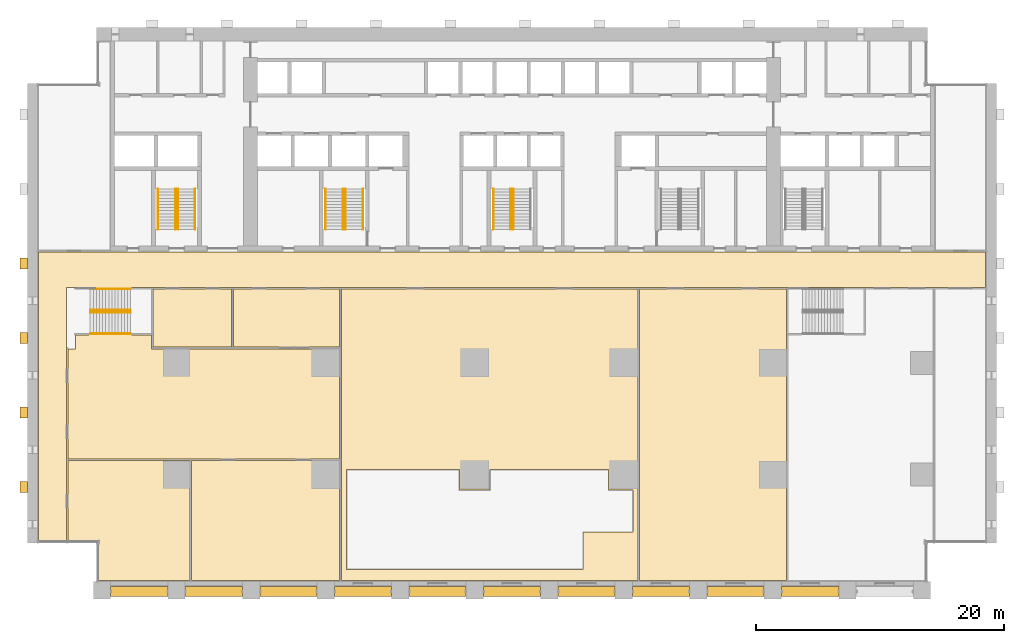
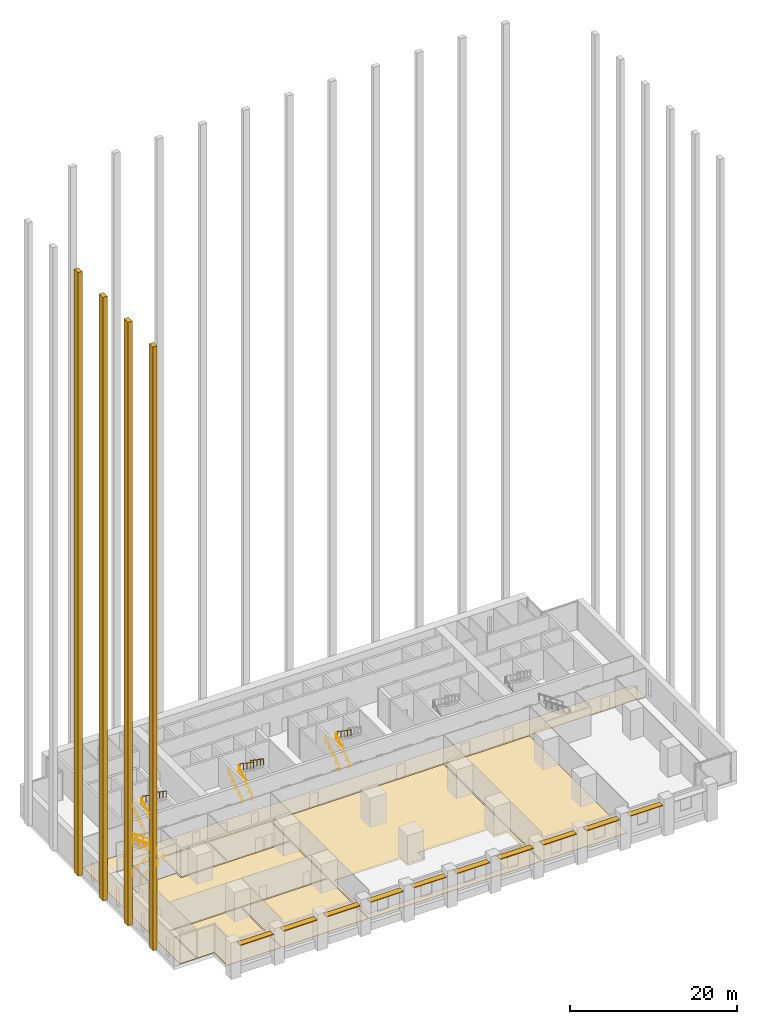
# One storey, part 16 of 17: 15 railings, 12 coverings, 10 shading devices, 4 elements without a shape of their own.
"""IFC4 building model written with IfcOpenShell, lengths in metres."""

import ifcopenshell
import ifcopenshell.guid

model = None  # the IFC model being written
_history = None  # IfcOwnerHistory: only IFC2X3 demands one
_inside = {}  # id of a spatial element -> (the spatial element, [elements in it])
_under = {}  # id of a project, library or spatial element -> (it, [spatial elements below it])
_declared = {}  # id of a project -> (the project, [libraries it declares])
_typed = {}  # id of a type object -> (the type object, [elements of that type])
_made_of = {}  # id of a material, layer set ... -> (it, [elements and type objects made of it])


def new_model(schema):
    """Start an empty IFC model of exactly this schema.

    Asked for "IFC4X3", IfcOpenShell would pick the latest addendum, in which some entities
    have other attributes; the version numbers below select the first issue.
    IFC2X3 requires an IfcOwnerHistory on every rooted entity: one is made here for all.
    """
    global model, _history
    if schema == "IFC4X3":
        model = ifcopenshell.file(schema_version=(4, 3, 0, 0))
    else:
        model = ifcopenshell.file(schema=schema)
    _inside.clear()
    _under.clear()
    _declared.clear()
    _typed.clear()
    _made_of.clear()
    _history = None
    if model.schema == "IFC2X3":
        org = make("IfcOrganization", Name="unknown")
        user = make(
            "IfcPersonAndOrganization",
            ThePerson=make("IfcPerson", FamilyName="unknown"),
            TheOrganization=org,
        )
        app = make(
            "IfcApplication",
            ApplicationDeveloper=org,
            Version="unknown",
            ApplicationFullName="unknown",
            ApplicationIdentifier="unknown",
        )
        _history = make(
            "IfcOwnerHistory",
            OwningUser=user,
            OwningApplication=app,
            ChangeAction="ADDED",
            CreationDate=0,
        )
    return model


def make(cls, **values):
    """One entity of the class cls with the attributes given. An attribute that is None is left unset."""
    return model.create_entity(
        cls, **{name: value for name, value in values.items() if value is not None}
    )


def rooted(cls, **values):
    """An entity with a GlobalId (a new one), such as an element, a storey or a relation."""
    return make(cls, GlobalId=ifcopenshell.guid.new(), OwnerHistory=_history, **values)


def si_unit(unit_type, name, prefix=None):
    """IfcSIUnit, for example si_unit("LENGTHUNIT", "METRE", prefix="MILLI")."""
    return make("IfcSIUnit", UnitType=unit_type, Prefix=prefix, Name=name)


def assignment(units):
    """IfcUnitAssignment: the units of a project."""
    return None if units is None else make("IfcUnitAssignment", Units=units)


def point(xyz):
    """IfcCartesianPoint."""
    return None if xyz is None else make("IfcCartesianPoint", Coordinates=xyz)


def direction(xyz):
    """IfcDirection."""
    return None if xyz is None else make("IfcDirection", DirectionRatios=xyz)


def frame(location, z_axis=None, x_axis=None):
    """IfcAxis2Placement3D, a coordinate frame: its origin and axes. An axis left out is left unset."""
    return make(
        "IfcAxis2Placement3D",
        Location=point(location),
        Axis=direction(z_axis),
        RefDirection=direction(x_axis),
    )


def frame_2d(location, x_axis=None):
    """IfcAxis2Placement2D, a coordinate frame in the plane: its origin and x axis."""
    return make(
        "IfcAxis2Placement2D", Location=point(location), RefDirection=direction(x_axis)
    )


def origin():
    """The frame at (0, 0, 0) with its axes left unset."""
    return frame((0.0, 0.0, 0.0))


def origin_2d():
    """The frame at (0, 0) in the plane with its x axis left unset."""
    return frame_2d((0.0, 0.0))


def place(relative_to, where):
    """IfcLocalPlacement: puts the frame where relative to a parent placement (None: the world)."""
    return make(
        "IfcLocalPlacement", PlacementRelTo=relative_to, RelativePlacement=where
    )


def context(
    kind, dimensions, precision=None, world=None, true_north=None, identifier=None
):
    """IfcGeometricRepresentationContext, for example the 3D "Model" context."""
    return make(
        "IfcGeometricRepresentationContext",
        ContextIdentifier=identifier,
        ContextType=kind,
        CoordinateSpaceDimension=dimensions,
        Precision=precision,
        WorldCoordinateSystem=world,
        TrueNorth=true_north,
    )


def subcontext(parent, identifier, kind, view, scale=None):
    """IfcGeometricRepresentationSubContext, for example "Body" below "Model"."""
    return make(
        "IfcGeometricRepresentationSubContext",
        ContextIdentifier=identifier,
        ContextType=kind,
        ParentContext=parent,
        TargetScale=scale,
        TargetView=view,
    )


def project(units=None, contexts=None):
    """IfcProject with its units and contexts."""
    return rooted(
        "IfcProject",
        Name="project",
        RepresentationContexts=contexts,
        UnitsInContext=assignment(units),
    )


def spatial(cls, under=None, at=None, **own):
    """A site, building, storey or space (cls), placed at a placement, below another one or the project."""
    s = rooted(cls, ObjectPlacement=at, **own)
    if under is not None:
        _under.setdefault(under.id(), (under, []))[1].append(s)
    return s


def polyline(points):
    """IfcPolyline through the points."""
    return make("IfcPolyline", Points=[point(p) for p in points])


def profile(cls, at=None, kind="AREA", **sizes):
    """A parametric profile (cls). Its sizes go by their IFC names, for example OverallWidth=200.0."""
    return make(cls, ProfileType=kind, Position=at, **sizes)


def rectangle(**sizes):
    """IfcRectangleProfileDef."""
    return profile("IfcRectangleProfileDef", **sizes)


def circle(**sizes):
    """IfcCircleProfileDef."""
    return profile("IfcCircleProfileDef", **sizes)


def outline(outer, holes=None, kind="AREA"):
    """IfcArbitraryClosedProfileDef: a profile drawn as a closed curve; with holes, ...WithVoids."""
    if holes is None:
        return make("IfcArbitraryClosedProfileDef", ProfileType=kind, OuterCurve=outer)
    return make(
        "IfcArbitraryProfileDefWithVoids",
        ProfileType=kind,
        OuterCurve=outer,
        InnerCurves=holes,
    )


def extrude(swept, where, along, depth):
    """IfcExtrudedAreaSolid: the profile swept, set in the frame where, extruded along a direction by depth."""
    return make(
        "IfcExtrudedAreaSolid",
        SweptArea=swept,
        Position=where,
        ExtrudedDirection=direction(along),
        Depth=depth,
    )


def shape(context_of_items, identifier, shape_type, items):
    """IfcShapeRepresentation: the items that make up one representation, for example the "Body"."""
    return make(
        "IfcShapeRepresentation",
        ContextOfItems=context_of_items,
        RepresentationIdentifier=identifier,
        RepresentationType=shape_type,
        Items=items,
    )


def material(Name=None, Category=None):
    """IfcMaterial."""
    return make("IfcMaterial", Name=Name, Category=Category)


def layer(
    of_material, thickness, ventilated=None, Name=None, Category=None, Priority=None
):
    """IfcMaterialLayer: one layer of a wall or slab, of a material (None: an air gap)."""
    return make(
        "IfcMaterialLayer",
        Material=of_material,
        LayerThickness=thickness,
        IsVentilated=ventilated,
        Name=Name,
        Category=Category,
        Priority=Priority,
    )


def layer_set(layers, Name=None):
    """IfcMaterialLayerSet."""
    return make("IfcMaterialLayerSet", MaterialLayers=layers, LayerSetName=Name)


def material_profile(
    of_material, cross_section, Name=None, Category=None, Priority=None
):
    """IfcMaterialProfile: a cross section and its material."""
    return make(
        "IfcMaterialProfile",
        Name=Name,
        Material=of_material,
        Profile=cross_section,
        Priority=Priority,
        Category=Category,
    )


def profile_set(profiles, Name=None, composite=None):
    """IfcMaterialProfileSet."""
    return make(
        "IfcMaterialProfileSet",
        Name=Name,
        MaterialProfiles=profiles,
        CompositeProfile=composite,
    )


def made_of(thing, what):
    """Note that an element or type object is made of a material, layer set ...; save() writes the relation."""
    if what is not None:
        _made_of.setdefault(what.id(), (what, []))[1].append(thing)
    return thing


def type_object(cls, material=None, **own):
    """A type object (cls), such as IfcWallType, which elements share."""
    return made_of(rooted(cls, **own), material)


def element(
    cls,
    number,
    at=None,
    inside=None,
    cuts=None,
    type_object=None,
    material=None,
    context=None,
    identifier="Body",
    shape_type=None,
    held_by="IfcProductDefinitionShape",
    body=None,
    shapes=None,
    **own,
):
    """One element of the class cls, such as IfcWall. Its Tag is "e" and its number.

    at: its placement. inside: the storey or other place that contains it. cuts: it is an
    opening in that element (IfcRelVoidsElement). A single representation is given by context,
    identifier, shape_type and body (its items); several are given by shapes. held_by: the class
    of the entity that holds the representations. save() writes the other relations.
    """
    e = rooted(cls, Tag="e%d" % number, ObjectPlacement=at, **own)
    if body is not None:
        shapes = [shape(context, identifier, shape_type, body)]
    if shapes is not None:
        e.Representation = make(held_by, Representations=shapes)
    if inside is not None:
        _inside.setdefault(inside.id(), (inside, []))[1].append(e)
    if cuts is not None:
        rooted(
            "IfcRelVoidsElement", RelatingBuildingElement=cuts, RelatedOpeningElement=e
        )
    if type_object is not None:
        _typed.setdefault(type_object.id(), (type_object, []))[1].append(e)
    return made_of(e, material)


def aggregate(whole, parts):
    """IfcRelAggregates: a whole, such as a stair, and the parts it consists of."""
    return rooted("IfcRelAggregates", RelatingObject=whole, RelatedObjects=parts)


def save(model, path):
    """Write the relations noted so far, then the file.

    IfcRelAggregates (storeys below a building ...), IfcRelContainedInSpatialStructure (elements
    in a storey), IfcRelDefinesByType, IfcRelAssociatesMaterial and IfcRelDeclares: one each for
    every whole, place, type object, material and project.
    """
    for whole, parts in _under.values():
        aggregate(whole, parts)
    for where, things in _inside.values():
        rooted(
            "IfcRelContainedInSpatialStructure",
            RelatedElements=things,
            RelatingStructure=where,
        )
    for kind, things in _typed.values():
        rooted("IfcRelDefinesByType", RelatedObjects=things, RelatingType=kind)
    for what, things in _made_of.values():
        rooted("IfcRelAssociatesMaterial", RelatedObjects=things, RelatingMaterial=what)
    for by, libraries in _declared.values():
        rooted("IfcRelDeclares", RelatingContext=by, RelatedDefinitions=libraries)
    model.write(path)


model = new_model("IFC4")

# Units and contexts
model_context = context("Model", 3, precision=1e-05, world=origin(), true_north=direction((0.0, 1.0)))
body_context = subcontext(model_context, "Body", "Model", "MODEL_VIEW")
ifc_project = project(units=[si_unit("LENGTHUNIT", "METRE"), si_unit("AREAUNIT", "SQUARE_METRE"), si_unit("VOLUMEUNIT", "CUBIC_METRE"), si_unit("PLANEANGLEUNIT", "RADIAN"), si_unit("MASSUNIT", "GRAM", prefix="KILO")], contexts=[model_context])

# Site, building, storey
site_placement = place(None, origin())
site = spatial("IfcSite", under=ifc_project, at=site_placement, CompositionType="ELEMENT")
building_placement = place(site_placement, origin())
building = spatial("IfcBuilding", under=site, at=building_placement, Name="Calvaro Tower", CompositionType="ELEMENT")
storey_placement = place(building_placement, frame((0.0, 0.0, 6.5)))
storey = spatial("IfcBuildingStorey", under=building, at=storey_placement, Name="L01", CompositionType="ELEMENT", Elevation=6.5)

# Shading devices
ifc_material_1 = material(Name="Anodised aluminium", Category="aluminium")
ifc_material_profile = material_profile(ifc_material_1, rectangle(XDim=0.800048828125, YDim=0.10009765625, at=origin_2d()), Name="Brise-soleil blade 800 x 100")
ifc_profile_set = profile_set([ifc_material_profile], Name="Anodised aluminium")
shading_device_type = type_object("IfcShadingDeviceType", Name="Brise-soleil blade 800 x 100", PredefinedType="JALOUSIE", material=ifc_profile_set)
for number, where, z_axis, x_axis, name in (
    (1, (6.699951171875, 0.60009765625, 3.35009765625), (1.0, 0.0, 0.0), (0.0, 1.0, 0.0), "Brise-soleil blade 1"),
    (2, (12.699951171875, 0.60009765625, 3.35009765625), (1.0, 0.0, 0.0), (0.0, 1.0, 0.0), "Brise-soleil blade 2"),
    (3, (18.699951171875, 0.60009765625, 3.35009765625), (1.0, 0.0, 0.0), (0.0, 1.0, 0.0), "Brise-soleil blade 3"),
    (4, (24.699951171875, 0.60009765625, 3.35009765625), (1.0, 0.0, 0.0), (0.0, 1.0, 0.0), "Brise-soleil blade 4"),
    (5, (30.699951171875, 0.60009765625, 3.35009765625), (1.0, 0.0, 0.0), (0.0, 1.0, 0.0), "Brise-soleil blade 5"),
    (6, (36.699951171875, 0.60009765625, 3.35009765625), (1.0, 0.0, 0.0), (0.0, 1.0, 0.0), "Brise-soleil blade 6"),
    (7, (42.699951171875, 0.60009765625, 3.35009765625), (1.0, 0.0, 0.0), (0.0, 1.0, 0.0), "Brise-soleil blade 7"),
    (8, (48.699951171875, 0.60009765625, 3.35009765625), (1.0, 0.0, 0.0), (0.0, 1.0, 0.0), "Brise-soleil blade 8"),
    (9, (54.699951171875, 0.60009765625, 3.35009765625), (1.0, 0.0, 0.0), (0.0, 1.0, 0.0), "Brise-soleil blade 9"),
    (10, (60.699951171875, 0.60009765625, 3.35009765625), (1.0, 0.0, 0.0), (0.0, 1.0, 0.0), "Brise-soleil blade 10"),
):
    element("IfcShadingDevice", number, at=place(storey_placement, frame(where, z_axis=z_axis, x_axis=x_axis)), inside=storey, type_object=shading_device_type, Name=name, PredefinedType="JALOUSIE", context=body_context, shape_type="SweptSolid", body=[
        extrude(rectangle(XDim=0.800048828125, YDim=0.10009765625, at=origin_2d()), origin(), (0.0, 0.0, 1.0), 4.60009765625),
    ])

# Coverings
ifc_material_2 = material(Name="Cement screed with carpet tile finish")
ifc_layer_1 = layer(ifc_material_2, 0.050048828125)
ifc_layer_set_1 = layer_set([ifc_layer_1], Name="Cement screed with carpet tile finish")
covering_type_1 = type_object("IfcCoveringType", Name="Floor finish 50", PredefinedType="FLOORING", material=ifc_layer_set_1)
covering_1_placement = place(storey_placement, origin())
element("IfcCovering", 11, at=covering_1_placement, inside=storey, type_object=covering_type_1, Name="Floor finish 04.01", PredefinedType="FLOORING", context=body_context, shape_type="SweptSolid", body=[
    extrude(outline(polyline([(77.1298828125, 27.929931640625), (77.1298828125, 25.070068359375), (3.1298828125, 25.070068359375), (3.1298828125, 4.570068359375), (0.8701171875, 4.570068359375), (0.8701171875, 27.929931640625), (77.1298828125, 27.929931640625)])), origin(), (0.0, 0.0, 1.0), 0.050048828125),
])
covering_2_placement = place(storey_placement, origin())
element("IfcCovering", 12, at=covering_2_placement, inside=storey, type_object=covering_type_1, Name="Floor finish 04.03", PredefinedType="FLOORING", context=body_context, shape_type="SweptSolid", body=[
    extrude(outline(polyline([(13.080078125, 11.1298828125), (13.080078125, 1.469970703125), (5.6201171875, 1.469970703125), (5.6201171875, 4.570068359375), (3.27001953125, 4.570068359375), (3.27001953125, 11.1298828125), (13.080078125, 11.1298828125)])), origin(), (0.0, 0.0, 1.0), 0.050048828125),
])
covering_3_placement = place(storey_placement, origin())
element("IfcCovering", 13, at=covering_3_placement, inside=storey, type_object=covering_type_1, Name="Floor finish 04.02", PredefinedType="FLOORING", context=body_context, shape_type="SweptSolid", body=[
    extrude(outline(polyline([(25.1298828125, 11.1298828125), (25.1298828125, 1.469970703125), (13.219970703125, 1.469970703125), (13.219970703125, 11.1298828125), (25.1298828125, 11.1298828125)])), origin(), (0.0, 0.0, 1.0), 0.050048828125),
])
covering_4_placement = place(storey_placement, origin())
element("IfcCovering", 14, at=covering_4_placement, inside=storey, type_object=covering_type_1, Name="Floor finish 04.08", PredefinedType="FLOORING", context=body_context, shape_type="SweptSolid", body=[
    extrude(outline(polyline([(3.8701171875, 20.1298828125), (3.8701171875, 21.22998046875), (9.97998046875, 21.22998046875), (9.97998046875, 20.1298828125), (25.1298828125, 20.1298828125), (25.1298828125, 11.27001953125), (3.27001953125, 11.27001953125), (3.27001953125, 20.1298828125), (3.8701171875, 20.1298828125)])), origin(), (0.0, 0.0, 1.0), 0.050048828125),
])
covering_5_placement = place(storey_placement, origin())
element("IfcCovering", 15, at=covering_5_placement, inside=storey, type_object=covering_type_1, Name="Floor finish 04.09", PredefinedType="FLOORING", context=body_context, shape_type="SweptSolid", body=[
    extrude(outline(polyline([(10.1201171875, 24.929931640625), (16.429931640625, 24.929931640625), (16.429931640625, 20.27001953125), (10.1201171875, 20.27001953125), (10.1201171875, 24.929931640625)])), origin(), (0.0, 0.0, 1.0), 0.050048828125),
])
covering_6_placement = place(storey_placement, origin())
element("IfcCovering", 16, at=covering_6_placement, inside=storey, type_object=covering_type_1, Name="Floor finish 04.10", PredefinedType="FLOORING", context=body_context, shape_type="SweptSolid", body=[
    extrude(outline(polyline([(16.570068359375, 24.929931640625), (25.1298828125, 24.929931640625), (25.1298828125, 20.27001953125), (16.570068359375, 20.27001953125), (16.570068359375, 24.929931640625)])), origin(), (0.0, 0.0, 1.0), 0.050048828125),
])
covering_7_placement = place(storey_placement, origin())
element("IfcCovering", 17, at=covering_7_placement, inside=storey, type_object=covering_type_1, Name="Floor finish 04.05", PredefinedType="FLOORING", context=body_context, shape_type="SweptSolid", body=[
    extrude(outline(polyline([(49.1298828125, 24.929931640625), (49.1298828125, 1.469970703125), (25.27001953125, 1.469970703125), (25.27001953125, 24.929931640625), (49.1298828125, 24.929931640625)]), holes=[polyline([(25.679931640625, 2.39990234375), (25.68017578125, 2.39794921875), (25.680419921875, 2.39599609375), (25.680908203125, 2.394287109375), (25.681396484375, 2.392333984375), (25.682373046875, 2.390625), (25.683349609375, 2.388916015625), (25.6845703125, 2.38720703125), (25.685791015625, 2.385986328125), (25.687255859375, 2.384521484375), (25.68896484375, 2.38330078125), (25.690673828125, 2.38232421875), (25.6923828125, 2.381591796875), (25.694091796875, 2.380859375), (25.696044921875, 2.38037109375), (25.697998046875, 2.380126953125), (25.699951171875, 2.3798828125), (44.699951171875, 2.3798828125), (44.701904296875, 2.380126953125), (44.703857421875, 2.38037109375), (44.705810546875, 2.380859375), (44.707763671875, 2.381591796875), (44.70947265625, 2.38232421875), (44.711181640625, 2.38330078125), (44.712646484375, 2.384521484375), (44.714111328125, 2.385986328125), (44.715576171875, 2.38720703125), (44.716552734375, 2.388916015625), (44.717529296875, 2.390625), (44.718505859375, 2.392333984375), (44.718994140625, 2.394287109375), (44.719482421875, 2.39599609375), (44.719970703125, 2.39794921875), (44.719970703125, 2.39990234375), (44.719970703125, 5.3798828125), (48.699951171875, 5.3798828125), (48.701904296875, 5.380126953125), (48.703857421875, 5.38037109375), (48.705810546875, 5.380859375), (48.707763671875, 5.381591796875), (48.70947265625, 5.38232421875), (48.711181640625, 5.38330078125), (48.712646484375, 5.384521484375), (48.714111328125, 5.385986328125), (48.715576171875, 5.38720703125), (48.716552734375, 5.388916015625), (48.717529296875, 5.390625), (48.718505859375, 5.392333984375), (48.718994140625, 5.394287109375), (48.719482421875, 5.39599609375), (48.719970703125, 5.39794921875), (48.719970703125, 5.39990234375), (48.719970703125, 8.75), (48.719970703125, 8.751953125), (48.719482421875, 8.75390625), (48.718994140625, 8.755859375), (48.718505859375, 8.7578125), (48.717529296875, 8.759521484375), (48.716552734375, 8.760986328125), (48.715576171875, 8.7626953125), (48.714111328125, 8.76416015625), (48.712646484375, 8.765380859375), (48.711181640625, 8.7666015625), (48.70947265625, 8.767578125), (48.707763671875, 8.7685546875), (48.705810546875, 8.76904296875), (48.703857421875, 8.76953125), (48.701904296875, 8.77001953125), (48.699951171875, 8.77001953125), (46.77001953125, 8.77001953125), (46.77001953125, 10.39990234375), (46.77001953125, 10.402099609375), (46.76953125, 10.40380859375), (46.76904296875, 10.40576171875), (46.7685546875, 10.40771484375), (46.767578125, 10.409423828125), (46.7666015625, 10.4111328125), (46.765380859375, 10.41259765625), (46.76416015625, 10.4140625), (46.7626953125, 10.41552734375), (46.760986328125, 10.41650390625), (46.759521484375, 10.41748046875), (46.7578125, 10.41845703125), (46.755859375, 10.419189453125), (46.75390625, 10.419677734375), (46.751953125, 10.419921875), (46.75, 10.419921875), (37.25, 10.419921875), (37.248046875, 10.419921875), (37.24609375, 10.419677734375), (37.244140625, 10.419189453125), (37.2421875, 10.41845703125), (37.240478515625, 10.41748046875), (37.239013671875, 10.41650390625), (37.2373046875, 10.41552734375), (37.23583984375, 10.4140625), (37.234619140625, 10.41259765625), (37.2333984375, 10.4111328125), (37.232421875, 10.409423828125), (37.2314453125, 10.40771484375), (37.23095703125, 10.40576171875), (37.23046875, 10.40380859375), (37.22998046875, 10.402099609375), (37.22998046875, 10.39990234375), (37.22998046875, 8.77001953125), (34.77001953125, 8.77001953125), (34.77001953125, 10.39990234375), (34.77001953125, 10.402099609375), (34.76953125, 10.40380859375), (34.76904296875, 10.40576171875), (34.7685546875, 10.40771484375), (34.767578125, 10.409423828125), (34.7666015625, 10.4111328125), (34.765380859375, 10.41259765625), (34.76416015625, 10.4140625), (34.7626953125, 10.41552734375), (34.760986328125, 10.41650390625), (34.759521484375, 10.41748046875), (34.7578125, 10.41845703125), (34.755859375, 10.419189453125), (34.75390625, 10.419677734375), (34.751953125, 10.419921875), (34.75, 10.419921875), (25.699951171875, 10.419921875), (25.697998046875, 10.419921875), (25.696044921875, 10.419677734375), (25.694091796875, 10.419189453125), (25.6923828125, 10.41845703125), (25.690673828125, 10.41748046875), (25.68896484375, 10.41650390625), (25.687255859375, 10.41552734375), (25.685791015625, 10.4140625), (25.6845703125, 10.41259765625), (25.683349609375, 10.4111328125), (25.682373046875, 10.409423828125), (25.681396484375, 10.40771484375), (25.680908203125, 10.40576171875), (25.680419921875, 10.40380859375), (25.68017578125, 10.402099609375), (25.679931640625, 10.39990234375), (25.679931640625, 2.39990234375)])]), origin(), (0.0, 0.0, 1.0), 0.050048828125),
])
covering_8_placement = place(storey_placement, origin())
element("IfcCovering", 18, at=covering_8_placement, inside=storey, type_object=covering_type_1, Name="Floor finish 04.06", PredefinedType="FLOORING", context=body_context, shape_type="SweptSolid", body=[
    extrude(outline(polyline([(61.080078125, 24.929931640625), (61.080078125, 1.469970703125), (49.27001953125, 1.469970703125), (49.27001953125, 24.929931640625), (61.080078125, 24.929931640625)])), origin(), (0.0, 0.0, 1.0), 0.050048828125),
])

# Stair, railings
ifc_material_3 = material(Name="Concrete C40/50", Category="concrete")
stair_type_1 = type_object("IfcStairType", Name="Exit stair 1400 2 flights", PredefinedType="HALF_TURN_STAIR", material=ifc_material_3)
stair_1_placement = place(storey_placement, origin())
stair_1 = element("IfcStair", 19, at=stair_1_placement, inside=storey, type_object=stair_type_1, Name="Exit stair S1", PredefinedType="HALF_TURN_STAIR")
ifc_material_4 = material(Name="Stainless steel", Category="steel")
railing_type = type_object("IfcRailingType", Name="Stair handrail", PredefinedType="HANDRAIL", material=ifc_material_4)
railing_1_placement = place(storey_placement, frame((11.89990234375, 29.75, 0.17138671875)))
railing_1 = element("IfcRailing", 20, at=railing_1_placement, type_object=railing_type, Name="Exit stair 1 handrail", PredefinedType="HANDRAIL", context=body_context, shape_type="SweptSolid", body=[
    extrude(circle(Radius=0.02392578125, at=origin_2d()), frame((0.0, 0.0, 0.8759765625), z_axis=(0.0, 0.824735456578, 0.565518723531), x_axis=(-1.0, 0.0, 0.0)), (0.0, 0.0, 1.0), 3.940673828125),
    extrude(circle(Radius=0.02099609375, at=origin_2d()), frame((0.0, 0.017333984375, 0.011962890625)), (0.0, 0.0, 1.0), 0.851806640625),
    extrude(circle(Radius=0.02099609375, at=origin_2d()), frame((0.0, 0.8125, 0.55712890625)), (0.0, 0.0, 1.0), 0.851806640625),
    extrude(circle(Radius=0.02099609375, at=origin_2d()), frame((0.0, 1.625, 1.1142578125)), (0.0, 0.0, 1.0), 0.851806640625),
    extrude(circle(Radius=0.02099609375, at=origin_2d()), frame((0.0, 2.4375, 1.67138671875)), (0.0, 0.0, 1.0), 0.851806640625),
    extrude(circle(Radius=0.02099609375, at=origin_2d()), frame((0.0, 3.232666015625, 2.216552734375)), (0.0, 0.0, 1.0), 0.851806640625),
])
railing_2_placement = place(storey_placement, frame((10.5, 29.75, 0.17138671875)))
railing_2 = element("IfcRailing", 21, at=railing_2_placement, type_object=railing_type, Name="Exit stair 1 handrail", PredefinedType="HANDRAIL", context=body_context, shape_type="SweptSolid", body=[
    extrude(circle(Radius=0.02392578125, at=origin_2d()), frame((0.0, 0.0, 0.8759765625), z_axis=(0.0, 0.824735456578, 0.565518723531), x_axis=(-1.0, 0.0, 0.0)), (0.0, 0.0, 1.0), 3.940673828125),
    extrude(circle(Radius=0.02099609375, at=origin_2d()), frame((0.0, 0.017333984375, 0.011962890625)), (0.0, 0.0, 1.0), 0.851806640625),
    extrude(circle(Radius=0.02099609375, at=origin_2d()), frame((0.0, 0.8125, 0.55712890625)), (0.0, 0.0, 1.0), 0.851806640625),
    extrude(circle(Radius=0.02099609375, at=origin_2d()), frame((0.0, 1.625, 1.1142578125)), (0.0, 0.0, 1.0), 0.851806640625),
    extrude(circle(Radius=0.02099609375, at=origin_2d()), frame((0.0, 2.4375, 1.67138671875)), (0.0, 0.0, 1.0), 0.851806640625),
    extrude(circle(Radius=0.02099609375, at=origin_2d()), frame((0.0, 3.232666015625, 2.216552734375)), (0.0, 0.0, 1.0), 0.851806640625),
])
railing_3_placement = place(storey_placement, frame((12.10009765625, 33.0, 2.571533203125)))
railing_3 = element("IfcRailing", 22, at=railing_3_placement, type_object=railing_type, Name="Exit stair 1 handrail", PredefinedType="HANDRAIL", context=body_context, shape_type="SweptSolid", body=[
    extrude(circle(Radius=0.02392578125, at=origin_2d()), frame((0.0, 0.0, 0.8759765625), z_axis=(0.0, -0.824735456578, 0.565518723531), x_axis=(1.0, 0.0, 0.0)), (0.0, 0.0, 1.0), 3.940673828125),
    extrude(circle(Radius=0.02099609375, at=origin_2d()), frame((0.0, -0.017333984375, 0.011962890625)), (0.0, 0.0, 1.0), 0.851806640625),
    extrude(circle(Radius=0.02099609375, at=origin_2d()), frame((0.0, -0.8125, 0.55712890625)), (0.0, 0.0, 1.0), 0.851806640625),
    extrude(circle(Radius=0.02099609375, at=origin_2d()), frame((0.0, -1.625, 1.1142578125)), (0.0, 0.0, 1.0), 0.851806640625),
    extrude(circle(Radius=0.02099609375, at=origin_2d()), frame((0.0, -2.4375, 1.67138671875)), (0.0, 0.0, 1.0), 0.851806640625),
    extrude(circle(Radius=0.02099609375, at=origin_2d()), frame((0.0, -3.232666015625, 2.216552734375)), (0.0, 0.0, 1.0), 0.851806640625),
])
railing_4_placement = place(storey_placement, frame((13.5, 33.0, 2.571533203125)))
railing_4 = element("IfcRailing", 23, at=railing_4_placement, type_object=railing_type, Name="Exit stair 1 handrail", PredefinedType="HANDRAIL", context=body_context, shape_type="SweptSolid", body=[
    extrude(circle(Radius=0.02392578125, at=origin_2d()), frame((0.0, 0.0, 0.8759765625), z_axis=(0.0, -0.824735456578, 0.565518723531), x_axis=(1.0, 0.0, 0.0)), (0.0, 0.0, 1.0), 3.940673828125),
    extrude(circle(Radius=0.02099609375, at=origin_2d()), frame((0.0, -0.017333984375, 0.011962890625)), (0.0, 0.0, 1.0), 0.851806640625),
    extrude(circle(Radius=0.02099609375, at=origin_2d()), frame((0.0, -0.8125, 0.55712890625)), (0.0, 0.0, 1.0), 0.851806640625),
    extrude(circle(Radius=0.02099609375, at=origin_2d()), frame((0.0, -1.625, 1.1142578125)), (0.0, 0.0, 1.0), 0.851806640625),
    extrude(circle(Radius=0.02099609375, at=origin_2d()), frame((0.0, -2.4375, 1.67138671875)), (0.0, 0.0, 1.0), 0.851806640625),
    extrude(circle(Radius=0.02099609375, at=origin_2d()), frame((0.0, -3.232666015625, 2.216552734375)), (0.0, 0.0, 1.0), 0.851806640625),
])
aggregate(stair_1, [railing_1, railing_2, railing_3, railing_4])

stair_2_placement = place(storey_placement, origin())
stair_2 = element("IfcStair", 24, at=stair_2_placement, inside=storey, type_object=stair_type_1, Name="Exit stair S2", PredefinedType="HALF_TURN_STAIR")
railing_5_placement = place(storey_placement, frame((25.39990234375, 29.75, 0.17138671875)))
railing_5 = element("IfcRailing", 25, at=railing_5_placement, type_object=railing_type, Name="Exit stair 2 handrail", PredefinedType="HANDRAIL", context=body_context, shape_type="SweptSolid", body=[
    extrude(circle(Radius=0.02392578125, at=origin_2d()), frame((0.0, 0.0, 0.8759765625), z_axis=(0.0, 0.824735456578, 0.565518723531), x_axis=(-1.0, 0.0, 0.0)), (0.0, 0.0, 1.0), 3.940673828125),
    extrude(circle(Radius=0.02099609375, at=origin_2d()), frame((0.0, 0.017333984375, 0.011962890625)), (0.0, 0.0, 1.0), 0.851806640625),
    extrude(circle(Radius=0.02099609375, at=origin_2d()), frame((0.0, 0.8125, 0.55712890625)), (0.0, 0.0, 1.0), 0.851806640625),
    extrude(circle(Radius=0.02099609375, at=origin_2d()), frame((0.0, 1.625, 1.1142578125)), (0.0, 0.0, 1.0), 0.851806640625),
    extrude(circle(Radius=0.02099609375, at=origin_2d()), frame((0.0, 2.4375, 1.67138671875)), (0.0, 0.0, 1.0), 0.851806640625),
    extrude(circle(Radius=0.02099609375, at=origin_2d()), frame((0.0, 3.232666015625, 2.216552734375)), (0.0, 0.0, 1.0), 0.851806640625),
])
railing_6_placement = place(storey_placement, frame((24.0, 29.75, 0.17138671875)))
railing_6 = element("IfcRailing", 26, at=railing_6_placement, type_object=railing_type, Name="Exit stair 2 handrail", PredefinedType="HANDRAIL", context=body_context, shape_type="SweptSolid", body=[
    extrude(circle(Radius=0.02392578125, at=origin_2d()), frame((0.0, 0.0, 0.8759765625), z_axis=(0.0, 0.824735456578, 0.565518723531), x_axis=(-1.0, 0.0, 0.0)), (0.0, 0.0, 1.0), 3.940673828125),
    extrude(circle(Radius=0.02099609375, at=origin_2d()), frame((0.0, 0.017333984375, 0.011962890625)), (0.0, 0.0, 1.0), 0.851806640625),
    extrude(circle(Radius=0.02099609375, at=origin_2d()), frame((0.0, 0.8125, 0.55712890625)), (0.0, 0.0, 1.0), 0.851806640625),
    extrude(circle(Radius=0.02099609375, at=origin_2d()), frame((0.0, 1.625, 1.1142578125)), (0.0, 0.0, 1.0), 0.851806640625),
    extrude(circle(Radius=0.02099609375, at=origin_2d()), frame((0.0, 2.4375, 1.67138671875)), (0.0, 0.0, 1.0), 0.851806640625),
    extrude(circle(Radius=0.02099609375, at=origin_2d()), frame((0.0, 3.232666015625, 2.216552734375)), (0.0, 0.0, 1.0), 0.851806640625),
])
railing_7_placement = place(storey_placement, frame((25.60009765625, 33.0, 2.571533203125)))
railing_7 = element("IfcRailing", 27, at=railing_7_placement, type_object=railing_type, Name="Exit stair 2 handrail", PredefinedType="HANDRAIL", context=body_context, shape_type="SweptSolid", body=[
    extrude(circle(Radius=0.02392578125, at=origin_2d()), frame((0.0, 0.0, 0.8759765625), z_axis=(0.0, -0.824735456578, 0.565518723531), x_axis=(1.0, 0.0, 0.0)), (0.0, 0.0, 1.0), 3.940673828125),
    extrude(circle(Radius=0.02099609375, at=origin_2d()), frame((0.0, -0.017333984375, 0.011962890625)), (0.0, 0.0, 1.0), 0.851806640625),
    extrude(circle(Radius=0.02099609375, at=origin_2d()), frame((0.0, -0.8125, 0.55712890625)), (0.0, 0.0, 1.0), 0.851806640625),
    extrude(circle(Radius=0.02099609375, at=origin_2d()), frame((0.0, -1.625, 1.1142578125)), (0.0, 0.0, 1.0), 0.851806640625),
    extrude(circle(Radius=0.02099609375, at=origin_2d()), frame((0.0, -2.4375, 1.67138671875)), (0.0, 0.0, 1.0), 0.851806640625),
    extrude(circle(Radius=0.02099609375, at=origin_2d()), frame((0.0, -3.232666015625, 2.216552734375)), (0.0, 0.0, 1.0), 0.851806640625),
])
railing_8_placement = place(storey_placement, frame((27.0, 33.0, 2.571533203125)))
railing_8 = element("IfcRailing", 28, at=railing_8_placement, type_object=railing_type, Name="Exit stair 2 handrail", PredefinedType="HANDRAIL", context=body_context, shape_type="SweptSolid", body=[
    extrude(circle(Radius=0.02392578125, at=origin_2d()), frame((0.0, 0.0, 0.8759765625), z_axis=(0.0, -0.824735456578, 0.565518723531), x_axis=(1.0, 0.0, 0.0)), (0.0, 0.0, 1.0), 3.940673828125),
    extrude(circle(Radius=0.02099609375, at=origin_2d()), frame((0.0, -0.017333984375, 0.011962890625)), (0.0, 0.0, 1.0), 0.851806640625),
    extrude(circle(Radius=0.02099609375, at=origin_2d()), frame((0.0, -0.8125, 0.55712890625)), (0.0, 0.0, 1.0), 0.851806640625),
    extrude(circle(Radius=0.02099609375, at=origin_2d()), frame((0.0, -1.625, 1.1142578125)), (0.0, 0.0, 1.0), 0.851806640625),
    extrude(circle(Radius=0.02099609375, at=origin_2d()), frame((0.0, -2.4375, 1.67138671875)), (0.0, 0.0, 1.0), 0.851806640625),
    extrude(circle(Radius=0.02099609375, at=origin_2d()), frame((0.0, -3.232666015625, 2.216552734375)), (0.0, 0.0, 1.0), 0.851806640625),
])
aggregate(stair_2, [railing_5, railing_6, railing_7, railing_8])

stair_3_placement = place(storey_placement, origin())
stair_3 = element("IfcStair", 29, at=stair_3_placement, inside=storey, type_object=stair_type_1, Name="Exit stair S3", PredefinedType="HALF_TURN_STAIR")
railing_9_placement = place(storey_placement, frame((38.89990234375, 29.75, 0.17138671875)))
railing_9 = element("IfcRailing", 30, at=railing_9_placement, type_object=railing_type, Name="Exit stair 3 handrail", PredefinedType="HANDRAIL", context=body_context, shape_type="SweptSolid", body=[
    extrude(circle(Radius=0.02392578125, at=origin_2d()), frame((0.0, 0.0, 0.8759765625), z_axis=(0.0, 0.824735456578, 0.565518723531), x_axis=(-1.0, 0.0, 0.0)), (0.0, 0.0, 1.0), 3.940673828125),
    extrude(circle(Radius=0.02099609375, at=origin_2d()), frame((0.0, 0.017333984375, 0.011962890625)), (0.0, 0.0, 1.0), 0.851806640625),
    extrude(circle(Radius=0.02099609375, at=origin_2d()), frame((0.0, 0.8125, 0.55712890625)), (0.0, 0.0, 1.0), 0.851806640625),
    extrude(circle(Radius=0.02099609375, at=origin_2d()), frame((0.0, 1.625, 1.1142578125)), (0.0, 0.0, 1.0), 0.851806640625),
    extrude(circle(Radius=0.02099609375, at=origin_2d()), frame((0.0, 2.4375, 1.67138671875)), (0.0, 0.0, 1.0), 0.851806640625),
    extrude(circle(Radius=0.02099609375, at=origin_2d()), frame((0.0, 3.232666015625, 2.216552734375)), (0.0, 0.0, 1.0), 0.851806640625),
])
railing_10_placement = place(storey_placement, frame((37.5, 29.75, 0.17138671875)))
railing_10 = element("IfcRailing", 31, at=railing_10_placement, type_object=railing_type, Name="Exit stair 3 handrail", PredefinedType="HANDRAIL", context=body_context, shape_type="SweptSolid", body=[
    extrude(circle(Radius=0.02392578125, at=origin_2d()), frame((0.0, 0.0, 0.8759765625), z_axis=(0.0, 0.824735456578, 0.565518723531), x_axis=(-1.0, 0.0, 0.0)), (0.0, 0.0, 1.0), 3.940673828125),
    extrude(circle(Radius=0.02099609375, at=origin_2d()), frame((0.0, 0.017333984375, 0.011962890625)), (0.0, 0.0, 1.0), 0.851806640625),
    extrude(circle(Radius=0.02099609375, at=origin_2d()), frame((0.0, 0.8125, 0.55712890625)), (0.0, 0.0, 1.0), 0.851806640625),
    extrude(circle(Radius=0.02099609375, at=origin_2d()), frame((0.0, 1.625, 1.1142578125)), (0.0, 0.0, 1.0), 0.851806640625),
    extrude(circle(Radius=0.02099609375, at=origin_2d()), frame((0.0, 2.4375, 1.67138671875)), (0.0, 0.0, 1.0), 0.851806640625),
    extrude(circle(Radius=0.02099609375, at=origin_2d()), frame((0.0, 3.232666015625, 2.216552734375)), (0.0, 0.0, 1.0), 0.851806640625),
])
railing_11_placement = place(storey_placement, frame((39.10009765625, 33.0, 2.571533203125)))
railing_11 = element("IfcRailing", 32, at=railing_11_placement, type_object=railing_type, Name="Exit stair 3 handrail", PredefinedType="HANDRAIL", context=body_context, shape_type="SweptSolid", body=[
    extrude(circle(Radius=0.02392578125, at=origin_2d()), frame((0.0, 0.0, 0.8759765625), z_axis=(0.0, -0.824735456578, 0.565518723531), x_axis=(1.0, 0.0, 0.0)), (0.0, 0.0, 1.0), 3.940673828125),
    extrude(circle(Radius=0.02099609375, at=origin_2d()), frame((0.0, -0.017333984375, 0.011962890625)), (0.0, 0.0, 1.0), 0.851806640625),
    extrude(circle(Radius=0.02099609375, at=origin_2d()), frame((0.0, -0.8125, 0.55712890625)), (0.0, 0.0, 1.0), 0.851806640625),
    extrude(circle(Radius=0.02099609375, at=origin_2d()), frame((0.0, -1.625, 1.1142578125)), (0.0, 0.0, 1.0), 0.851806640625),
    extrude(circle(Radius=0.02099609375, at=origin_2d()), frame((0.0, -2.4375, 1.67138671875)), (0.0, 0.0, 1.0), 0.851806640625),
    extrude(circle(Radius=0.02099609375, at=origin_2d()), frame((0.0, -3.232666015625, 2.216552734375)), (0.0, 0.0, 1.0), 0.851806640625),
])
aggregate(stair_3, [railing_9, railing_10, railing_11])

ifc_material_5 = material(Name="Concrete C40/50", Category="concrete")
stair_type_2 = type_object("IfcStairType", Name="Exit stair 1700 2 flights", PredefinedType="HALF_TURN_STAIR", material=ifc_material_5)
stair_4_placement = place(storey_placement, origin())
stair_4 = element("IfcStair", 33, at=stair_4_placement, inside=storey, type_object=stair_type_2, Name="Exit stair 6", PredefinedType="HALF_TURN_STAIR")
railing_12_placement = place(storey_placement, frame((5.050048828125, 23.050048828125, 0.17138671875)))
railing_12 = element("IfcRailing", 34, at=railing_12_placement, type_object=railing_type, Name="Exit stair 6 handrail", PredefinedType="HANDRAIL", context=body_context, shape_type="SweptSolid", body=[
    extrude(circle(Radius=0.02392578125, at=origin_2d()), frame((0.0, 0.0, 0.8759765625), z_axis=(0.824735456578, 0.0, 0.565518723531), x_axis=(0.0, 1.0, 0.0)), (0.0, 0.0, 1.0), 3.940673828125),
    extrude(circle(Radius=0.02099609375, at=origin_2d()), frame((0.017333984375, 0.0, 0.011962890625)), (0.0, 0.0, 1.0), 0.851806640625),
    extrude(circle(Radius=0.02099609375, at=origin_2d()), frame((0.8125, 0.0, 0.55712890625)), (0.0, 0.0, 1.0), 0.851806640625),
    extrude(circle(Radius=0.02099609375, at=origin_2d()), frame((1.625, 0.0, 1.1142578125)), (0.0, 0.0, 1.0), 0.851806640625),
    extrude(circle(Radius=0.02099609375, at=origin_2d()), frame((2.4375, 0.0, 1.67138671875)), (0.0, 0.0, 1.0), 0.851806640625),
    extrude(circle(Radius=0.02099609375, at=origin_2d()), frame((3.232666015625, 0.0, 2.216552734375)), (0.0, 0.0, 1.0), 0.851806640625),
])
railing_13_placement = place(storey_placement, frame((5.050048828125, 21.35009765625, 0.17138671875)))
railing_13 = element("IfcRailing", 35, at=railing_13_placement, type_object=railing_type, Name="Exit stair 6 handrail", PredefinedType="HANDRAIL", context=body_context, shape_type="SweptSolid", body=[
    extrude(circle(Radius=0.02392578125, at=origin_2d()), frame((0.0, 0.0, 0.8759765625), z_axis=(0.824735456578, 0.0, 0.565518723531), x_axis=(0.0, 1.0, 0.0)), (0.0, 0.0, 1.0), 3.940673828125),
    extrude(circle(Radius=0.02099609375, at=origin_2d()), frame((0.017333984375, 0.0, 0.011962890625)), (0.0, 0.0, 1.0), 0.851806640625),
    extrude(circle(Radius=0.02099609375, at=origin_2d()), frame((0.8125, 0.0, 0.55712890625)), (0.0, 0.0, 1.0), 0.851806640625),
    extrude(circle(Radius=0.02099609375, at=origin_2d()), frame((1.625, 0.0, 1.1142578125)), (0.0, 0.0, 1.0), 0.851806640625),
    extrude(circle(Radius=0.02099609375, at=origin_2d()), frame((2.4375, 0.0, 1.67138671875)), (0.0, 0.0, 1.0), 0.851806640625),
    extrude(circle(Radius=0.02099609375, at=origin_2d()), frame((3.232666015625, 0.0, 2.216552734375)), (0.0, 0.0, 1.0), 0.851806640625),
])
railing_14_placement = place(storey_placement, frame((8.300048828125, 23.25, 2.571533203125)))
railing_14 = element("IfcRailing", 36, at=railing_14_placement, type_object=railing_type, Name="Exit stair 6 handrail", PredefinedType="HANDRAIL", context=body_context, shape_type="SweptSolid", body=[
    extrude(circle(Radius=0.02392578125, at=origin_2d()), frame((0.0, 0.0, 0.8759765625), z_axis=(-0.824735456578, 0.0, 0.565518723531), x_axis=(0.0, -1.0, 0.0)), (0.0, 0.0, 1.0), 3.940673828125),
    extrude(circle(Radius=0.02099609375, at=origin_2d()), frame((-0.017333984375, 0.0, 0.011962890625)), (0.0, 0.0, 1.0), 0.851806640625),
    extrude(circle(Radius=0.02099609375, at=origin_2d()), frame((-0.8125, 0.0, 0.55712890625)), (0.0, 0.0, 1.0), 0.851806640625),
    extrude(circle(Radius=0.02099609375, at=origin_2d()), frame((-1.625, 0.0, 1.1142578125)), (0.0, 0.0, 1.0), 0.851806640625),
    extrude(circle(Radius=0.02099609375, at=origin_2d()), frame((-2.4375, 0.0, 1.67138671875)), (0.0, 0.0, 1.0), 0.851806640625),
    extrude(circle(Radius=0.02099609375, at=origin_2d()), frame((-3.232666015625, 0.0, 2.216552734375)), (0.0, 0.0, 1.0), 0.851806640625),
])
railing_15_placement = place(storey_placement, frame((8.300048828125, 24.949951171875, 2.571533203125)))
railing_15 = element("IfcRailing", 37, at=railing_15_placement, type_object=railing_type, Name="Exit stair 6 handrail", PredefinedType="HANDRAIL", context=body_context, shape_type="SweptSolid", body=[
    extrude(circle(Radius=0.02392578125, at=origin_2d()), frame((0.0, 0.0, 0.8759765625), z_axis=(-0.824735456578, 0.0, 0.565518723531), x_axis=(0.0, -1.0, 0.0)), (0.0, 0.0, 1.0), 3.940673828125),
    extrude(circle(Radius=0.02099609375, at=origin_2d()), frame((-0.017333984375, 0.0, 0.011962890625)), (0.0, 0.0, 1.0), 0.851806640625),
    extrude(circle(Radius=0.02099609375, at=origin_2d()), frame((-0.8125, 0.0, 0.55712890625)), (0.0, 0.0, 1.0), 0.851806640625),
    extrude(circle(Radius=0.02099609375, at=origin_2d()), frame((-1.625, 0.0, 1.1142578125)), (0.0, 0.0, 1.0), 0.851806640625),
    extrude(circle(Radius=0.02099609375, at=origin_2d()), frame((-2.4375, 0.0, 1.67138671875)), (0.0, 0.0, 1.0), 0.851806640625),
    extrude(circle(Radius=0.02099609375, at=origin_2d()), frame((-3.232666015625, 0.0, 2.216552734375)), (0.0, 0.0, 1.0), 0.851806640625),
])
aggregate(stair_4, [railing_12, railing_13, railing_14, railing_15])

# Coverings
ifc_material_6 = material(Name="Reconstituted stone", Category="masonry")
ifc_layer_2 = layer(ifc_material_6, 0.60009765625)
ifc_layer_set_2 = layer_set([ifc_layer_2], Name="Reconstituted stone")
covering_type_2 = type_object("IfcCoveringType", Name="Stone pilaster 900 x 600", PredefinedType="CLADDING", material=ifc_layer_set_2)
covering_9_placement = place(storey_placement, frame((0.0, 0.0, 0.050048828125)))
element("IfcCovering", 38, at=covering_9_placement, inside=storey, type_object=covering_type_2, Name="Stone pilaster", PredefinedType="CLADDING", context=body_context, shape_type="SweptSolid", body=[
    extrude(outline(polyline([(-0.60009765625, 8.550048828125), (0.0, 8.550048828125), (0.0, 9.449951171875), (-0.60009765625, 9.449951171875), (-0.60009765625, 8.550048828125)])), origin(), (0.0, 0.0, 1.0), 88.449951171875),
])
covering_10_placement = place(storey_placement, frame((0.0, 0.0, 0.050048828125)))
element("IfcCovering", 39, at=covering_10_placement, inside=storey, type_object=covering_type_2, Name="Stone pilaster", PredefinedType="CLADDING", context=body_context, shape_type="SweptSolid", body=[
    extrude(outline(polyline([(-0.60009765625, 14.550048828125), (0.0, 14.550048828125), (0.0, 15.449951171875), (-0.60009765625, 15.449951171875), (-0.60009765625, 14.550048828125)])), origin(), (0.0, 0.0, 1.0), 88.449951171875),
])
covering_11_placement = place(storey_placement, frame((0.0, 0.0, 0.050048828125)))
element("IfcCovering", 40, at=covering_11_placement, inside=storey, type_object=covering_type_2, Name="Stone pilaster", PredefinedType="CLADDING", context=body_context, shape_type="SweptSolid", body=[
    extrude(outline(polyline([(-0.60009765625, 20.550048828125), (0.0, 20.550048828125), (0.0, 21.449951171875), (-0.60009765625, 21.449951171875), (-0.60009765625, 20.550048828125)])), origin(), (0.0, 0.0, 1.0), 88.449951171875),
])
covering_12_placement = place(storey_placement, frame((0.0, 0.0, 0.050048828125)))
element("IfcCovering", 41, at=covering_12_placement, inside=storey, type_object=covering_type_2, Name="Stone pilaster", PredefinedType="CLADDING", context=body_context, shape_type="SweptSolid", body=[
    extrude(outline(polyline([(-0.60009765625, 26.550048828125), (0.0, 26.550048828125), (0.0, 27.449951171875), (-0.60009765625, 27.449951171875), (-0.60009765625, 26.550048828125)])), origin(), (0.0, 0.0, 1.0), 88.449951171875),
])

save(model, "model.ifc")
